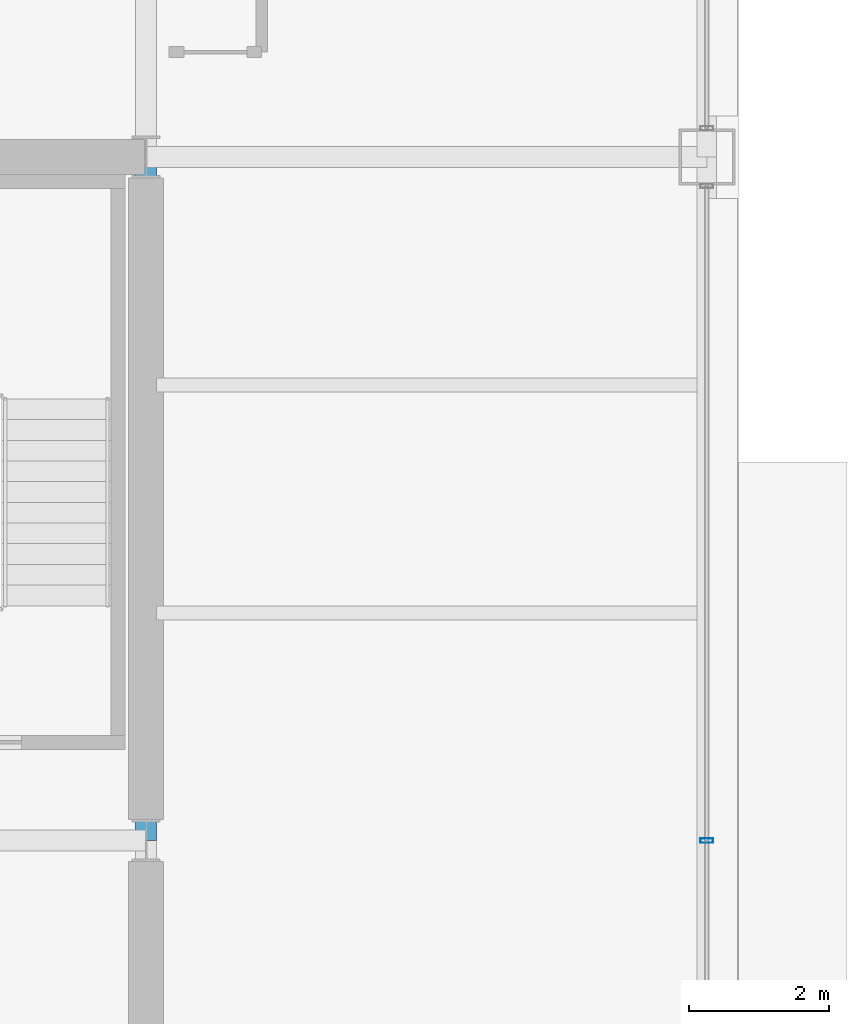
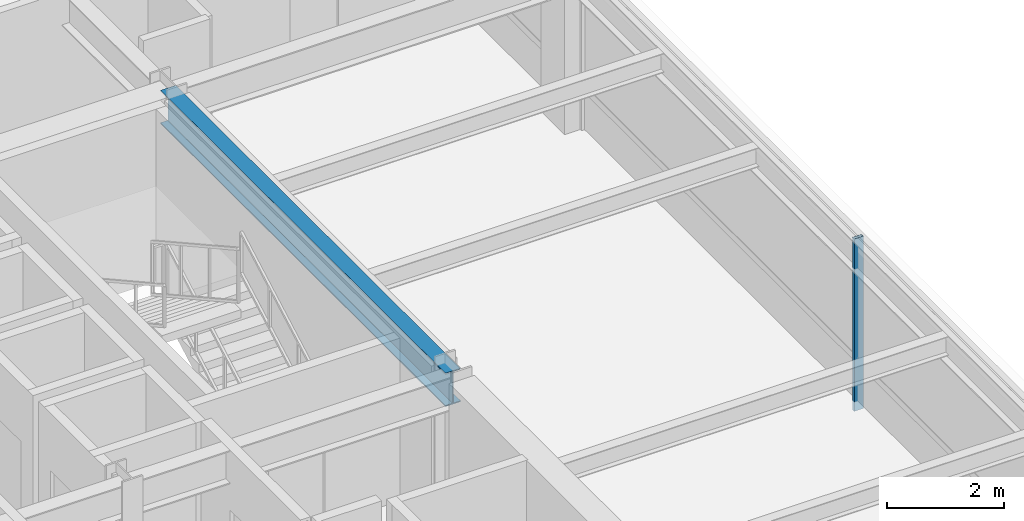
# One storey, part 15 of 28: 1 beam, 1 member, 1 element without a shape of its own.
"""IFC4 building model written with IfcOpenShell, lengths in metres."""

from ifc_helpers import new_model, si_unit, direction, frame, origin, origin_2d, place, context, subcontext, project, spatial, hollow_rectangle, i_section, extrude, material, layer, layer_set, material_profile, profile_set, type_object, element, aggregate, save


model = new_model("IFC4")

# Units and contexts
model_context = context("Model", 3, precision=1e-05, world=origin(), true_north=direction((0.0, 1.0)))
body_context = subcontext(model_context, "Body", "Model", "MODEL_VIEW")
ifc_project = project(units=[si_unit("LENGTHUNIT", "METRE"), si_unit("AREAUNIT", "SQUARE_METRE"), si_unit("VOLUMEUNIT", "CUBIC_METRE"), si_unit("PLANEANGLEUNIT", "RADIAN"), si_unit("MASSUNIT", "GRAM", prefix="KILO")], contexts=[model_context])

# Site, building, storey
site_placement = place(None, origin())
site = spatial("IfcSite", under=ifc_project, at=site_placement, CompositionType="ELEMENT")
building_placement = place(site_placement, origin())
building = spatial("IfcBuilding", under=site, at=building_placement, Name="Brelmoor Portico Tower", CompositionType="ELEMENT")
storey_placement = place(building_placement, frame((0.0, 0.0, 142.199951171875)))
storey = spatial("IfcBuildingStorey", under=building, at=storey_placement, Name="L37", CompositionType="ELEMENT", Elevation=142.199951171875)

# Beam
ifc_material_1 = material(Name="Steel Q355B", Category="steel")
ifc_material_profile_1 = material_profile(ifc_material_1, i_section(OverallWidth=0.300048828125, OverallDepth=0.699951171875, WebThickness=0.012939453125, FlangeThickness=0.02392578125, at=origin_2d()), Name="HN 700x300x13x24")
ifc_profile_set_1 = profile_set([ifc_material_profile_1], Name="Steel Q355B")
beam_type = type_object("IfcBeamType", Name="BM-PG-700", PredefinedType="BEAM", material=ifc_profile_set_1)
beam_placement = place(storey_placement, frame((14.550048828125, 0.0, 3.050048828125), z_axis=(0.0, 1.0, 0.0), x_axis=(-1.0, 0.0, 0.0)))
element("IfcBeam", 1, at=beam_placement, inside=storey, type_object=beam_type, Name="L37 Primary Floor Girder PG-12", PredefinedType="BEAM", context=body_context, shape_type="SweptSolid", body=[
    extrude(i_section(OverallWidth=0.300048828125, OverallDepth=0.699951171875, WebThickness=0.012939453125, FlangeThickness=0.02392578125, at=origin_2d()), origin(), (0.0, 0.0, 1.0), 9.75),
])

# Curtain wall, member
ifc_material_2 = material(Name="Anodised Aluminium Alloy 6063-T6", Category="aluminium")
ifc_layer = layer(ifc_material_2, 0.179931640625)
ifc_layer_set = layer_set([ifc_layer], Name="Anodised Aluminium Alloy 6063-T6")
curtain_wall_type = type_object("IfcCurtainWallType", Name="CW-TOWER-Z2", PredefinedType="NOTDEFINED", material=ifc_layer_set)
curtain_wall_placement = place(storey_placement, origin())
curtain_wall = element("IfcCurtainWall", 2, at=curtain_wall_placement, inside=storey, type_object=curtain_wall_type, Name="L37 Curtain Wall CW-L37-04-2", PredefinedType="NOTDEFINED")
ifc_material_profile_2 = material_profile(ifc_material_2, hollow_rectangle(XDim=0.06494140625, YDim=0.179931640625, WallThickness=0.00390625, at=origin_2d()), Name="ALU MULLION 65x180")
ifc_profile_set_2 = profile_set([ifc_material_profile_2], Name="Anodised Aluminium Alloy 6063-T6")
member_type = type_object("IfcMemberType", Name="MB-CW-MULL-180", PredefinedType="MULLION", material=ifc_profile_set_2)
member_placement = place(storey_placement, frame((22.550048828125, 0.0, -0.199951171875), z_axis=(0.0, 0.0, 1.0), x_axis=(0.0, 1.0, 0.0)))
member = element("IfcMember", 3, at=member_placement, type_object=member_type, Name="CW-L37-04-2 Mullion 01", PredefinedType="MULLION", context=body_context, shape_type="SweptSolid", body=[
    extrude(hollow_rectangle(XDim=0.06494140625, YDim=0.179931640625, WallThickness=0.00390625, at=origin_2d()), origin(), (0.0, 0.0, 1.0), 3.60009765625),
])
aggregate(curtain_wall, [member])

save(model, "model.ifc")
